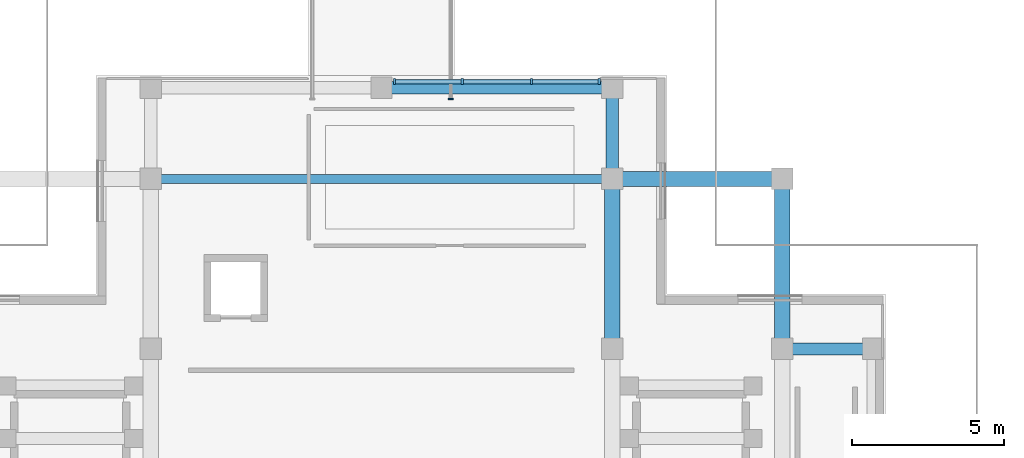
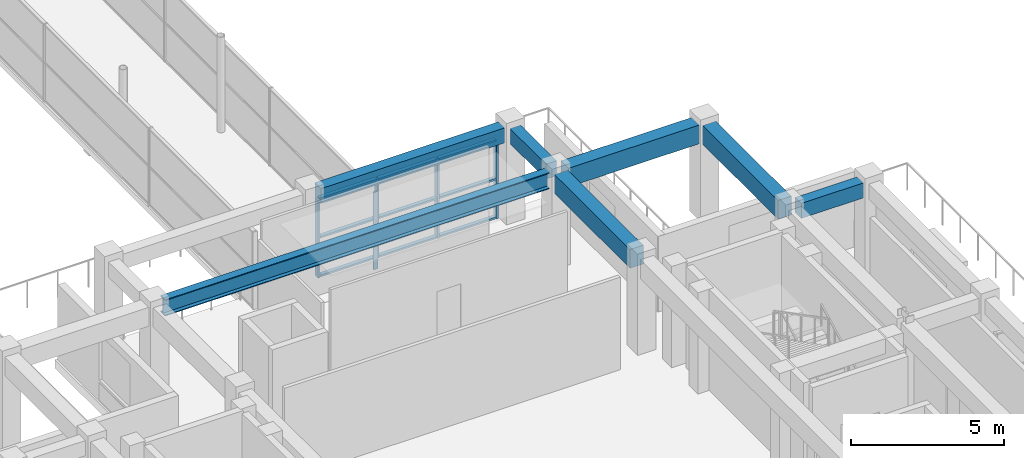
# One storey, part 15 of 53: 14 members, 7 beams, 2 elements without a shape of their own.
"""IFC4 building model written with IfcOpenShell, lengths in metres."""

from ifc_helpers import new_model, si_unit, direction, frame, origin, origin_2d, place, context, subcontext, project, spatial, rectangle, i_section, extrude, material, material_profile, profile_set, type_object, element, aggregate, save


model = new_model("IFC4")

# Units and contexts
model_context = context("Model", 3, precision=1e-05, world=origin(), true_north=direction((0.0, 1.0)))
body_context = subcontext(model_context, "Body", "Model", "MODEL_VIEW")
ifc_project = project(units=[si_unit("LENGTHUNIT", "METRE"), si_unit("AREAUNIT", "SQUARE_METRE"), si_unit("VOLUMEUNIT", "CUBIC_METRE"), si_unit("PLANEANGLEUNIT", "RADIAN"), si_unit("MASSUNIT", "GRAM", prefix="KILO")], contexts=[model_context])

# Site, building, storey
site_placement = place(None, origin())
site = spatial("IfcSite", under=ifc_project, at=site_placement, CompositionType="ELEMENT")
building_placement = place(site_placement, origin())
building = spatial("IfcBuilding", under=site, at=building_placement, Name="Saryqyr Civic Hall", CompositionType="ELEMENT")
storey_placement = place(building_placement, frame((0.0, 0.0, 21.300048828125)))
storey = spatial("IfcBuildingStorey", under=building, at=storey_placement, Name="L05", CompositionType="ELEMENT", Elevation=21.300048828125)

# Curtain wall, member
ifc_material_1 = material(Name="Anodised aluminium and triple low-E glass", Category="aluminium")
curtain_wall_type_1 = type_object("IfcCurtainWallType", Name="ENV-CW-STD-88", PredefinedType="NOTDEFINED", material=ifc_material_1)
curtain_wall_1_placement = place(storey_placement, origin())
curtain_wall_1 = element("IfcCurtainWall", 1, at=curtain_wall_1_placement, inside=storey, type_object=curtain_wall_type_1, Name="Curtain wall BR-CN-CW2-L05", PredefinedType="NOTDEFINED")
ifc_material_2 = material(Name="Anodised aluminium", Category="aluminium")
ifc_material_profile_1 = material_profile(ifc_material_2, rectangle(XDim=0.06005859375, YDim=0.159912109375, at=origin_2d()), Name="ALU MULLION 60x160")
ifc_profile_set_1 = profile_set([ifc_material_profile_1], Name="Anodised aluminium")
member_type_1 = type_object("IfcMemberType", Name="ENV-CW-MUL-180", PredefinedType="MULLION", material=ifc_profile_set_1)
member_1_placement = place(storey_placement, frame((59.280029296875, 99.830078125, 0.0), z_axis=(0.0, 0.0, 1.0), x_axis=(0.0, -1.0, 0.0)))
member_1 = element("IfcMember", 2, at=member_1_placement, type_object=member_type_1, Name="CW-88 mullion 4", PredefinedType="MULLION", context=body_context, shape_type="SweptSolid", body=[
    extrude(rectangle(XDim=0.06005859375, YDim=0.159912109375, at=origin_2d()), origin(), (0.0, 0.0, 1.0), 3.099853515625),
])
aggregate(curtain_wall_1, [member_1])

# Curtain wall, members
curtain_wall_type_2 = type_object("IfcCurtainWallType", Name="ENV-CW-HVY-49", PredefinedType="NOTDEFINED", material=ifc_material_1)
curtain_wall_2_placement = place(storey_placement, origin())
curtain_wall_2 = element("IfcCurtainWall", 3, at=curtain_wall_2_placement, inside=storey, type_object=curtain_wall_type_2, Name="Curtain wall V1-CW-L05-05", PredefinedType="NOTDEFINED")
ifc_material_profile_2 = material_profile(ifc_material_2, rectangle(XDim=0.070068359375, YDim=0.199951171875, at=origin_2d()), Name="ALU MULLION 70x200")
ifc_profile_set_2 = profile_set([ifc_material_profile_2], Name="Anodised aluminium")
member_type_2 = type_object("IfcMemberType", Name="ENV-CW-MUL-220", PredefinedType="MULLION", material=ifc_profile_set_2)
member_2_placement = place(storey_placement, frame((57.425048828125, 100.39990234375, 0.0), z_axis=(0.0, 0.0, 1.0), x_axis=(1.0, 0.0, 0.0)))
member_2 = element("IfcMember", 4, at=member_2_placement, type_object=member_type_2, Name="CW-49 mullion 1", PredefinedType="MULLION", context=body_context, shape_type="SweptSolid", body=[
    extrude(rectangle(XDim=0.070068359375, YDim=0.199951171875, at=origin_2d()), origin(), (0.0, 0.0, 1.0), 3.1650390625),
])
member_3_placement = place(storey_placement, frame((59.663330078125, 100.39990234375, 0.0), z_axis=(0.0, 0.0, 1.0), x_axis=(1.0, 0.0, 0.0)))
member_3 = element("IfcMember", 5, at=member_3_placement, type_object=member_type_2, Name="CW-49 mullion 2", PredefinedType="MULLION", context=body_context, shape_type="SweptSolid", body=[
    extrude(rectangle(XDim=0.070068359375, YDim=0.199951171875, at=origin_2d()), origin(), (0.0, 0.0, 1.0), 3.1650390625),
])
member_4_placement = place(storey_placement, frame((61.936767578125, 100.39990234375, 0.0), z_axis=(0.0, 0.0, 1.0), x_axis=(1.0, 0.0, 0.0)))
member_4 = element("IfcMember", 6, at=member_4_placement, type_object=member_type_2, Name="CW-49 mullion 3", PredefinedType="MULLION", context=body_context, shape_type="SweptSolid", body=[
    extrude(rectangle(XDim=0.070068359375, YDim=0.199951171875, at=origin_2d()), origin(), (0.0, 0.0, 1.0), 3.1650390625),
])
member_5_placement = place(storey_placement, frame((64.175048828125, 100.39990234375, 0.0), z_axis=(0.0, 0.0, 1.0), x_axis=(1.0, 0.0, 0.0)))
member_5 = element("IfcMember", 7, at=member_5_placement, type_object=member_type_2, Name="CW-49 mullion 4", PredefinedType="MULLION", context=body_context, shape_type="SweptSolid", body=[
    extrude(rectangle(XDim=0.070068359375, YDim=0.199951171875, at=origin_2d()), origin(), (0.0, 0.0, 1.0), 3.1650390625),
])
ifc_material_profile_3 = material_profile(ifc_material_2, rectangle(XDim=0.14990234375, YDim=0.070068359375, at=origin_2d()), Name="ALU TRANSOM 150x70")
ifc_profile_set_3 = profile_set([ifc_material_profile_3], Name="Anodised aluminium")
member_type_3 = type_object("IfcMemberType", Name="ENV-CW-TRN-180", PredefinedType="USERDEFINED", material=ifc_profile_set_3)
member_6_placement = place(storey_placement, frame((57.4599609375, 100.39990234375, 0.034912109375), z_axis=(1.0, 0.0, 0.0), x_axis=(0.0, 1.0, 0.0)))
member_6 = element("IfcMember", 8, at=member_6_placement, type_object=member_type_3, Name="CW-49 transom 1.1", ObjectType="TRANSOM", PredefinedType="USERDEFINED", context=body_context, shape_type="SweptSolid", body=[
    extrude(rectangle(XDim=0.14990234375, YDim=0.070068359375, at=origin_2d()), origin(), (0.0, 0.0, 1.0), 2.16845703125),
])
member_7_placement = place(storey_placement, frame((57.4599609375, 100.39990234375, 1.5830078125), z_axis=(1.0, 0.0, 0.0), x_axis=(0.0, 1.0, 0.0)))
member_7 = element("IfcMember", 9, at=member_7_placement, type_object=member_type_3, Name="CW-49 transom 1.2", ObjectType="TRANSOM", PredefinedType="USERDEFINED", context=body_context, shape_type="SweptSolid", body=[
    extrude(rectangle(XDim=0.14990234375, YDim=0.070068359375, at=origin_2d()), origin(), (0.0, 0.0, 1.0), 2.16845703125),
])
member_8_placement = place(storey_placement, frame((57.4599609375, 100.39990234375, 3.1298828125), z_axis=(1.0, 0.0, 0.0), x_axis=(0.0, 1.0, 0.0)))
member_8 = element("IfcMember", 10, at=member_8_placement, type_object=member_type_3, Name="CW-49 transom 1.3", ObjectType="TRANSOM", PredefinedType="USERDEFINED", context=body_context, shape_type="SweptSolid", body=[
    extrude(rectangle(XDim=0.14990234375, YDim=0.070068359375, at=origin_2d()), origin(), (0.0, 0.0, 1.0), 2.16845703125),
])
member_9_placement = place(storey_placement, frame((59.6982421875, 100.39990234375, 0.034912109375), z_axis=(1.0, 0.0, 0.0), x_axis=(0.0, 1.0, 0.0)))
member_9 = element("IfcMember", 11, at=member_9_placement, type_object=member_type_3, Name="CW-49 transom 2.1", ObjectType="TRANSOM", PredefinedType="USERDEFINED", context=body_context, shape_type="SweptSolid", body=[
    extrude(rectangle(XDim=0.14990234375, YDim=0.070068359375, at=origin_2d()), origin(), (0.0, 0.0, 1.0), 2.203369140625),
])
member_10_placement = place(storey_placement, frame((59.6982421875, 100.39990234375, 1.5830078125), z_axis=(1.0, 0.0, 0.0), x_axis=(0.0, 1.0, 0.0)))
member_10 = element("IfcMember", 12, at=member_10_placement, type_object=member_type_3, Name="CW-49 transom 2.2", ObjectType="TRANSOM", PredefinedType="USERDEFINED", context=body_context, shape_type="SweptSolid", body=[
    extrude(rectangle(XDim=0.14990234375, YDim=0.070068359375, at=origin_2d()), origin(), (0.0, 0.0, 1.0), 2.203369140625),
])
member_11_placement = place(storey_placement, frame((59.6982421875, 100.39990234375, 3.1298828125), z_axis=(1.0, 0.0, 0.0), x_axis=(0.0, 1.0, 0.0)))
member_11 = element("IfcMember", 13, at=member_11_placement, type_object=member_type_3, Name="CW-49 transom 2.3", ObjectType="TRANSOM", PredefinedType="USERDEFINED", context=body_context, shape_type="SweptSolid", body=[
    extrude(rectangle(XDim=0.14990234375, YDim=0.070068359375, at=origin_2d()), origin(), (0.0, 0.0, 1.0), 2.203369140625),
])
member_12_placement = place(storey_placement, frame((61.9716796875, 100.39990234375, 0.034912109375), z_axis=(1.0, 0.0, 0.0), x_axis=(0.0, 1.0, 0.0)))
member_12 = element("IfcMember", 14, at=member_12_placement, type_object=member_type_3, Name="CW-49 transom 3.1", ObjectType="TRANSOM", PredefinedType="USERDEFINED", context=body_context, shape_type="SweptSolid", body=[
    extrude(rectangle(XDim=0.14990234375, YDim=0.070068359375, at=origin_2d()), origin(), (0.0, 0.0, 1.0), 2.168212890625),
])
member_13_placement = place(storey_placement, frame((61.9716796875, 100.39990234375, 1.5830078125), z_axis=(1.0, 0.0, 0.0), x_axis=(0.0, 1.0, 0.0)))
member_13 = element("IfcMember", 15, at=member_13_placement, type_object=member_type_3, Name="CW-49 transom 3.2", ObjectType="TRANSOM", PredefinedType="USERDEFINED", context=body_context, shape_type="SweptSolid", body=[
    extrude(rectangle(XDim=0.14990234375, YDim=0.070068359375, at=origin_2d()), origin(), (0.0, 0.0, 1.0), 2.168212890625),
])
member_14_placement = place(storey_placement, frame((61.9716796875, 100.39990234375, 3.1298828125), z_axis=(1.0, 0.0, 0.0), x_axis=(0.0, 1.0, 0.0)))
member_14 = element("IfcMember", 16, at=member_14_placement, type_object=member_type_3, Name="CW-49 transom 3.3", ObjectType="TRANSOM", PredefinedType="USERDEFINED", context=body_context, shape_type="SweptSolid", body=[
    extrude(rectangle(XDim=0.14990234375, YDim=0.070068359375, at=origin_2d()), origin(), (0.0, 0.0, 1.0), 2.168212890625),
])
aggregate(curtain_wall_2, [member_2, member_3, member_4, member_5, member_6, member_7, member_8, member_9, member_10, member_11, member_12, member_13, member_14])

# Beams
ifc_material_3 = material(Name="Steel S355", Category="steel")
ifc_material_profile_4 = material_profile(ifc_material_3, i_section(OverallWidth=0.300048828125, OverallDepth=0.64990234375, WebThickness=0.01611328125, FlangeThickness=0.031005859375, at=origin_2d()), Name="HEB 650")
ifc_profile_set_4 = profile_set([ifc_material_profile_4], Name="Steel S355")
beam_type_1 = type_object("IfcBeamType", Name="STR-BM-HEB650", PredefinedType="BEAM", material=ifc_profile_set_4)
beam_1_placement = place(storey_placement, frame((49.72509765625, 97.199951171875, 3.46484375), z_axis=(1.0, 0.0, 0.0), x_axis=(0.0, 1.0, 0.0)))
element("IfcBeam", 17, at=beam_1_placement, inside=storey, type_object=beam_type_1, Name="Beam V1-GBM-EW4-L05", PredefinedType="BEAM", context=body_context, shape_type="SweptSolid", body=[
    extrude(i_section(OverallWidth=0.300048828125, OverallDepth=0.64990234375, WebThickness=0.01611328125, FlangeThickness=0.031005859375, at=origin_2d()), origin(), (0.0, 0.0, 1.0), 14.5498046875),
])
ifc_material_4 = material(Name="Concrete C35/45", Category="concrete")
ifc_material_profile_5 = material_profile(ifc_material_4, rectangle(XDim=0.39990234375, YDim=0.60009765625, at=origin_2d()), Name="RC 400x600")
ifc_profile_set_5 = profile_set([ifc_material_profile_5], Name="Concrete C35/45")
beam_type_2 = type_object("IfcBeamType", Name="STR-BM-RC400x600", PredefinedType="BEAM", material=ifc_profile_set_5)
for number, where, z_axis, x_axis, name in (
    (18, (70.52490234375, 91.60009765625, 3.489990234375), (1.0, 0.0, 0.0), (0.0, 1.0, 0.0), "Beam V1-TBM-06-L05"),
    (19, (64.60009765625, 97.52490234375, 3.489990234375), (0.0, 1.0, 0.0), (-1.0, 0.0, 0.0), "Beam V1-TBM-10-L05"),
):
    element("IfcBeam", number, at=place(storey_placement, frame(where, z_axis=z_axis, x_axis=x_axis)), inside=storey, type_object=beam_type_2, Name=name, PredefinedType="BEAM", context=body_context, shape_type="SweptSolid", body=[
        extrude(rectangle(XDim=0.39990234375, YDim=0.60009765625, at=origin_2d()), origin(), (0.0, 0.0, 1.0), 2.35009765625),
    ])
beam_2_placement = place(storey_placement, frame((57.324951171875, 100.199951171875, 3.489990234375), z_axis=(1.0, 0.0, 0.0), x_axis=(0.0, 1.0, 0.0)))
element("IfcBeam", 20, at=beam_2_placement, inside=storey, type_object=beam_type_2, Name="Beam V1-TBM-18-L05", PredefinedType="BEAM", context=body_context, shape_type="SweptSolid", body=[
    extrude(rectangle(XDim=0.39990234375, YDim=0.60009765625, at=origin_2d()), origin(), (0.0, 0.0, 1.0), 6.949951171875),
])
ifc_material_5 = material(Name="Concrete C40/50", Category="concrete")
ifc_material_profile_6 = material_profile(ifc_material_5, rectangle(XDim=0.5, YDim=0.75, at=origin_2d()), Name="RC 500x750")
ifc_profile_set_6 = profile_set([ifc_material_profile_6], Name="Concrete C40/50")
beam_type_3 = type_object("IfcBeamType", Name="STR-BM-RC500x750", PredefinedType="BEAM", material=ifc_profile_set_6)
for number, where, z_axis, x_axis, name in (
    (21, (64.925048828125, 97.199951171875, 3.4150390625), (1.0, 0.0, 0.0), (0.0, 1.0, 0.0), "Beam V1-WBM-E4-L05"),
    (22, (64.60009765625, 91.925048828125, 3.4150390625), (0.0, 1.0, 0.0), (-1.0, 0.0, 0.0), "Beam V1-BM-NS33-L05"),
    (23, (70.199951171875, 91.925048828125, 3.4150390625), (0.0, 1.0, 0.0), (-1.0, 0.0, 0.0), "Beam V1-BM-NS43-L05"),
):
    element("IfcBeam", number, at=place(storey_placement, frame(where, z_axis=z_axis, x_axis=x_axis)), inside=storey, type_object=beam_type_3, Name=name, PredefinedType="BEAM", context=body_context, shape_type="SweptSolid", body=[
        extrude(rectangle(XDim=0.5, YDim=0.75, at=origin_2d()), origin(), (0.0, 0.0, 1.0), 4.949951171875),
    ])

save(model, "model.ifc")
